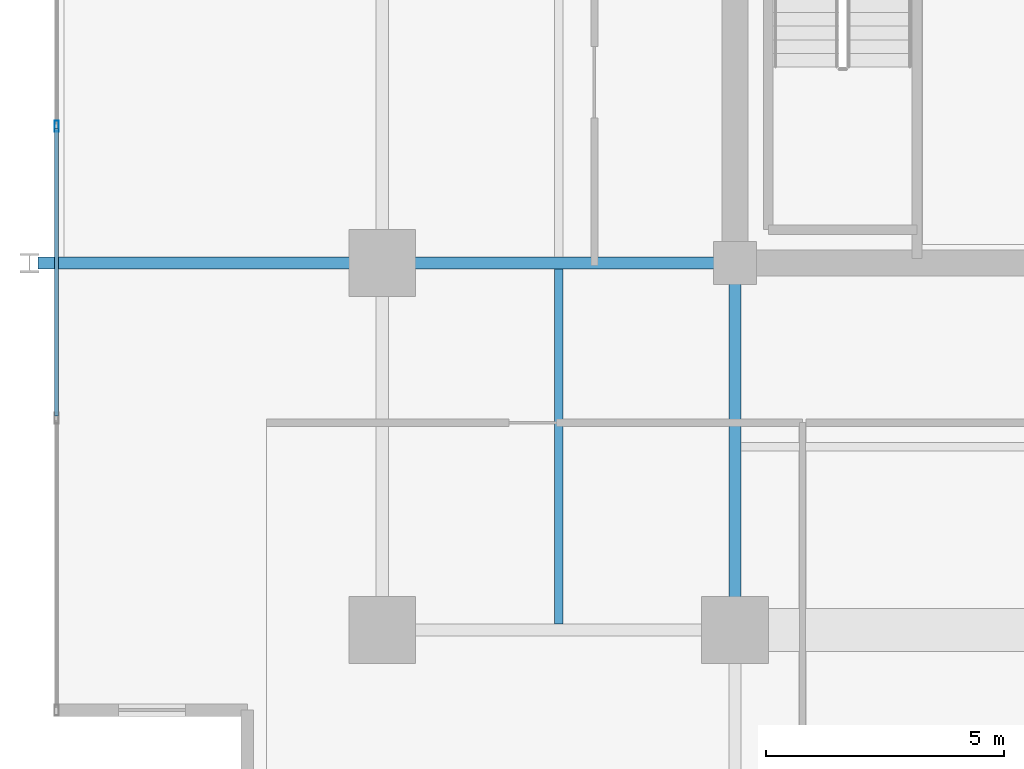
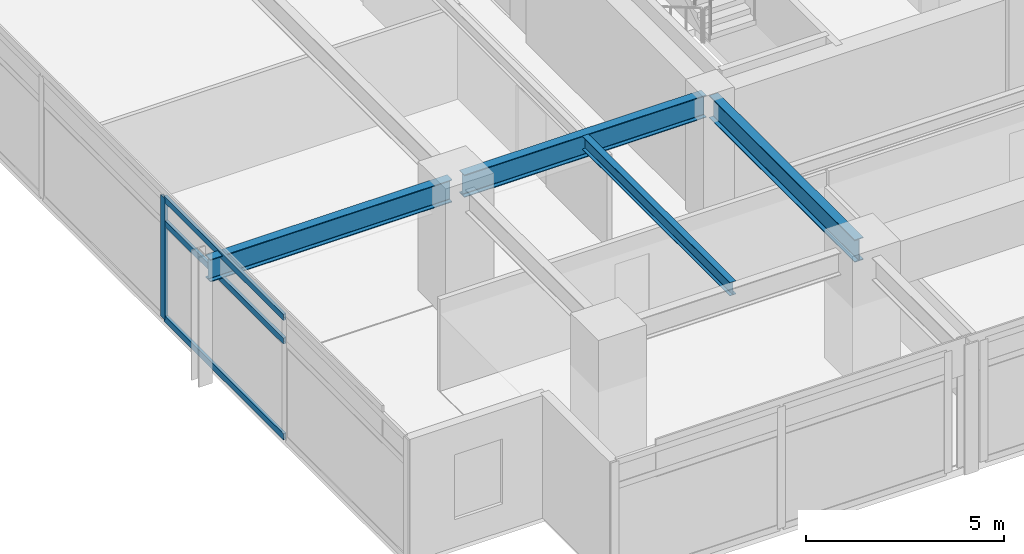
# One storey, part 3 of 20: 4 beams, 4 members, 1 element without a shape of its own.
"""IFC4 building model written with IfcOpenShell, lengths in metres."""

from ifc_helpers import new_model, si_unit, direction, frame, origin, origin_2d, place, context, subcontext, project, spatial, hollow_rectangle, i_section, extrude, material, material_profile, profile_set, type_object, element, aggregate, save


model = new_model("IFC4")

# Units and contexts
model_context = context("Model", 3, precision=1e-05, world=origin(), true_north=direction((0.0, 1.0)))
body_context = subcontext(model_context, "Body", "Model", "MODEL_VIEW")
ifc_project = project(units=[si_unit("LENGTHUNIT", "METRE"), si_unit("AREAUNIT", "SQUARE_METRE"), si_unit("VOLUMEUNIT", "CUBIC_METRE"), si_unit("PLANEANGLEUNIT", "RADIAN"), si_unit("MASSUNIT", "GRAM", prefix="KILO")], contexts=[model_context])

# Site, building, storey
site_placement = place(None, origin())
site = spatial("IfcSite", under=ifc_project, at=site_placement, CompositionType="ELEMENT")
building_placement = place(site_placement, origin())
building = spatial("IfcBuilding", under=site, at=building_placement, Name="Kovane Verandah Tower", CompositionType="ELEMENT")
storey_placement = place(building_placement, frame((0.0, 0.0, 213.199951171875)))
storey = spatial("IfcBuildingStorey", under=building, at=storey_placement, Name="L49", CompositionType="ELEMENT", Elevation=213.199951171875)

# Beams
ifc_material_1 = material(Name="Steel S355", Category="steel")
ifc_material_profile_1 = material_profile(ifc_material_1, i_section(OverallWidth=0.255859375, OverallDepth=0.69287109375, WebThickness=0.014404296875, FlangeThickness=0.023681640625, FilletRadius=0.01513671875, at=origin_2d()), Name="UB686x254x170")
ifc_profile_set_1 = profile_set([ifc_material_profile_1], Name="Steel S355")
beam_type_1 = type_object("IfcBeamType", Name="BM-UB686x170", PredefinedType="BEAM", material=ifc_profile_set_1)
beam_1_placement = place(storey_placement, frame((28.820068359375, 18.5, 3.428466796875), z_axis=(-1.0, 0.0, 0.0), x_axis=(0.0, -1.0, 0.0)))
element("IfcBeam", 1, at=beam_1_placement, inside=storey, type_object=beam_type_1, Name="L49 Primary Tower Girder G-W1", PredefinedType="BEAM", context=body_context, shape_type="SweptSolid", body=[
    extrude(i_section(OverallWidth=0.255859375, OverallDepth=0.69287109375, WebThickness=0.014404296875, FlangeThickness=0.023681640625, FilletRadius=0.01513671875, at=origin_2d()), origin(), (0.0, 0.0, 1.0), 7.0400390625),
])
beam_2_placement = place(storey_placement, frame((29.0, 18.320068359375, 3.428466796875), z_axis=(0.0, -1.0, 0.0), x_axis=(1.0, 0.0, 0.0)))
element("IfcBeam", 2, at=beam_2_placement, inside=storey, type_object=beam_type_1, Name="L49 Primary Tower Girder G-S1", PredefinedType="BEAM", context=body_context, shape_type="SweptSolid", body=[
    extrude(i_section(OverallWidth=0.255859375, OverallDepth=0.69287109375, WebThickness=0.014404296875, FlangeThickness=0.023681640625, FilletRadius=0.01513671875, at=origin_2d()), origin(), (0.0, 0.0, 1.0), 7.340087890625),
])
beam_3_placement = place(storey_placement, frame((21.419921875, 18.5, 3.41357421875), z_axis=(-1.0, 0.0, 0.0), x_axis=(0.0, -1.0, 0.0)))
element("IfcBeam", 3, at=beam_3_placement, inside=storey, type_object=beam_type_1, Name="L49 Primary Tower Girder G-VW1", PredefinedType="BEAM", context=body_context, shape_type="SweptSolid", body=[
    extrude(i_section(OverallWidth=0.255859375, OverallDepth=0.69287109375, WebThickness=0.014404296875, FlangeThickness=0.023681640625, FilletRadius=0.01513671875, at=origin_2d()), origin(), (0.0, 0.0, 1.0), 7.0400390625),
])

# Curtain wall, members
ifc_material_2 = material(Name="Champagne Anodised Aluminium Frame with Low-E Clear Laminated Glass", Category="aluminium")
curtain_wall_type = type_object("IfcCurtainWallType", Name="CW-SYS-03-MID", PredefinedType="NOTDEFINED", material=ifc_material_2)
curtain_wall_placement = place(storey_placement, origin())
curtain_wall = element("IfcCurtainWall", 4, at=curtain_wall_placement, inside=storey, type_object=curtain_wall_type, Name="L49 W Unitised Curtain Wall", PredefinedType="NOTDEFINED")
ifc_material_3 = material(Name="Champagne Anodised Aluminium 6063-T6", Category="aluminium")
ifc_material_profile_2 = material_profile(ifc_material_3, hollow_rectangle(XDim=0.0849609375, YDim=0.22998046875, WallThickness=0.00390625, at=origin_2d()), Name="AL85x230x4")
ifc_profile_set_2 = profile_set([ifc_material_profile_2], Name="Champagne Anodised Aluminium 6063-T6")
member_type_1 = type_object("IfcMemberType", Name="CW-MUL-85x230", PredefinedType="MULLION", material=ifc_profile_set_2)
member_1_placement = place(storey_placement, frame((14.768310546875, 21.373046875, 0.02001953125), z_axis=(0.0, 0.0, 1.0), x_axis=(-1.0, 0.0, 0.0)))
member_1 = element("IfcMember", 5, at=member_1_placement, type_object=member_type_1, Name="L49 W Unitised Curtain Wall Mullion 5", PredefinedType="MULLION", context=body_context, shape_type="SweptSolid", body=[
    extrude(hollow_rectangle(XDim=0.0849609375, YDim=0.22998046875, WallThickness=0.00390625, at=origin_2d()), origin(), (0.0, 0.0, 1.0), 3.735107421875),
])
ifc_material_profile_3 = material_profile(ifc_material_3, hollow_rectangle(XDim=0.0849609375, YDim=0.18994140625, WallThickness=0.00390625, at=origin_2d()), Name="AL85x190x4")
ifc_profile_set_3 = profile_set([ifc_material_profile_3], Name="Champagne Anodised Aluminium 6063-T6")
member_type_2 = type_object("IfcMemberType", Name="CW-TRN-85x190", PredefinedType="USERDEFINED", material=ifc_profile_set_3)
member_2_placement = place(storey_placement, frame((14.768310546875, 21.322998046875, 0.050048828125), z_axis=(0.0, -1.0, 0.0), x_axis=(1.0, 0.0, 0.0)))
member_2 = element("IfcMember", 6, at=member_2_placement, type_object=member_type_2, Name="L49 W Unitised Curtain Wall Transom TB Bay 5", ObjectType="TRANSOM", PredefinedType="USERDEFINED", context=body_context, shape_type="SweptSolid", body=[
    extrude(hollow_rectangle(XDim=0.0849609375, YDim=0.18994140625, WallThickness=0.00390625, at=origin_2d()), origin(), (0.0, 0.0, 1.0), 6.026611328125),
])
member_3_placement = place(storey_placement, frame((14.768310546875, 21.322998046875, 2.9951171875), z_axis=(0.0, -1.0, 0.0), x_axis=(1.0, 0.0, 0.0)))
member_3 = element("IfcMember", 7, at=member_3_placement, type_object=member_type_2, Name="L49 W Unitised Curtain Wall Transom TM Bay 5", ObjectType="TRANSOM", PredefinedType="USERDEFINED", context=body_context, shape_type="SweptSolid", body=[
    extrude(hollow_rectangle(XDim=0.0849609375, YDim=0.18994140625, WallThickness=0.00390625, at=origin_2d()), origin(), (0.0, 0.0, 1.0), 6.026611328125),
])
member_4_placement = place(storey_placement, frame((14.768310546875, 21.322998046875, 3.72509765625), z_axis=(0.0, -1.0, 0.0), x_axis=(1.0, 0.0, 0.0)))
member_4 = element("IfcMember", 8, at=member_4_placement, type_object=member_type_2, Name="L49 W Unitised Curtain Wall Transom TT Bay 5", ObjectType="TRANSOM", PredefinedType="USERDEFINED", context=body_context, shape_type="SweptSolid", body=[
    extrude(hollow_rectangle(XDim=0.0849609375, YDim=0.18994140625, WallThickness=0.00390625, at=origin_2d()), origin(), (0.0, 0.0, 1.0), 6.026611328125),
])
aggregate(curtain_wall, [member_1, member_2, member_3, member_4])

# Beam
ifc_material_profile_4 = material_profile(ifc_material_1, i_section(OverallWidth=0.179443359375, OverallDepth=0.412841796875, WebThickness=0.009521484375, FlangeThickness=0.01611328125, FilletRadius=0.01025390625, at=origin_2d()), Name="UB406x178x74")
ifc_profile_set_4 = profile_set([ifc_material_profile_4], Name="Steel S355")
beam_type_2 = type_object("IfcBeamType", Name="JST-UB406x74", PredefinedType="JOIST", material=ifc_profile_set_4)
beam_4_placement = place(storey_placement, frame((25.300048828125, 10.92578125, 3.568603515625), z_axis=(0.0, 1.0, 0.0), x_axis=(-1.0, 0.0, 0.0)))
element("IfcBeam", 9, at=beam_4_placement, inside=storey, type_object=beam_type_2, Name="L49 Secondary Composite Joist J-SW1", PredefinedType="JOIST", context=body_context, shape_type="SweptSolid", body=[
    extrude(i_section(OverallWidth=0.179443359375, OverallDepth=0.412841796875, WebThickness=0.009521484375, FlangeThickness=0.01611328125, FilletRadius=0.01025390625, at=origin_2d()), origin(), (0.0, 0.0, 1.0), 7.4482421875),
])

save(model, "model.ifc")
